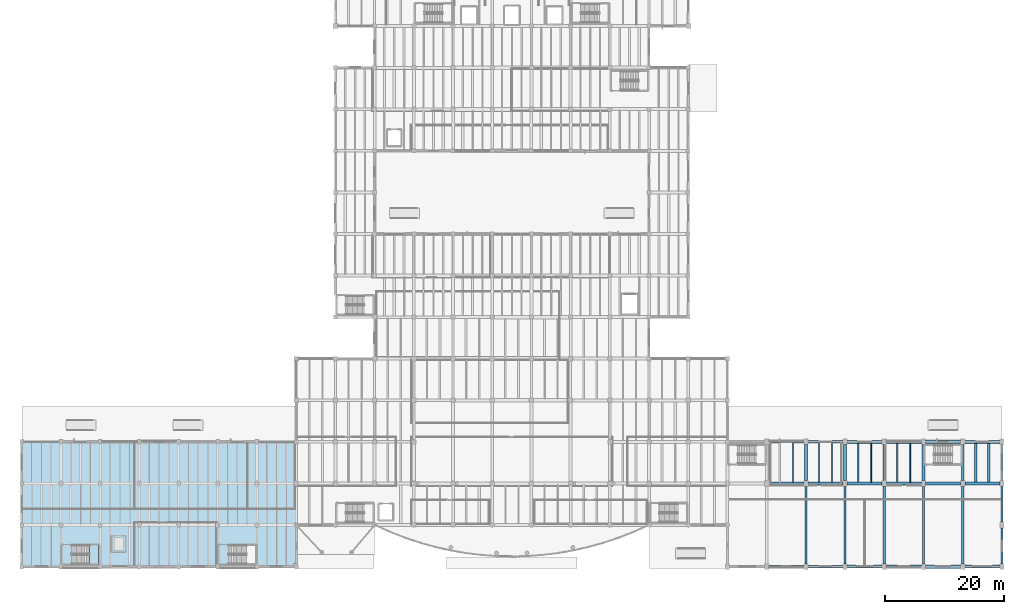
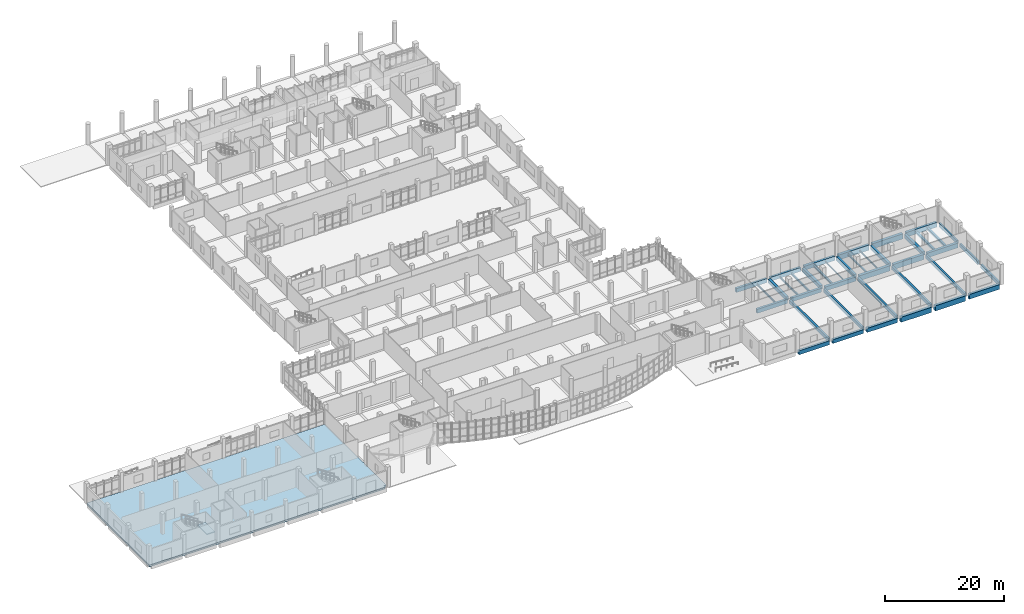
# One storey, part 32 of 69: 40 beams, 2 slabs, 1 element without a shape of its own.
"""IFC4 building model written with IfcOpenShell, lengths in metres."""

import ifcopenshell
import ifcopenshell.guid

model = None  # the IFC model being written
_history = None  # IfcOwnerHistory: only IFC2X3 demands one
_inside = {}  # id of a spatial element -> (the spatial element, [elements in it])
_under = {}  # id of a project, library or spatial element -> (it, [spatial elements below it])
_declared = {}  # id of a project -> (the project, [libraries it declares])
_typed = {}  # id of a type object -> (the type object, [elements of that type])
_made_of = {}  # id of a material, layer set ... -> (it, [elements and type objects made of it])


def new_model(schema):
    """Start an empty IFC model of exactly this schema.

    Asked for "IFC4X3", IfcOpenShell would pick the latest addendum, in which some entities
    have other attributes; the version numbers below select the first issue.
    IFC2X3 requires an IfcOwnerHistory on every rooted entity: one is made here for all.
    """
    global model, _history
    if schema == "IFC4X3":
        model = ifcopenshell.file(schema_version=(4, 3, 0, 0))
    else:
        model = ifcopenshell.file(schema=schema)
    _inside.clear()
    _under.clear()
    _declared.clear()
    _typed.clear()
    _made_of.clear()
    _history = None
    if model.schema == "IFC2X3":
        org = make("IfcOrganization", Name="unknown")
        user = make(
            "IfcPersonAndOrganization",
            ThePerson=make("IfcPerson", FamilyName="unknown"),
            TheOrganization=org,
        )
        app = make(
            "IfcApplication",
            ApplicationDeveloper=org,
            Version="unknown",
            ApplicationFullName="unknown",
            ApplicationIdentifier="unknown",
        )
        _history = make(
            "IfcOwnerHistory",
            OwningUser=user,
            OwningApplication=app,
            ChangeAction="ADDED",
            CreationDate=0,
        )
    return model


def make(cls, **values):
    """One entity of the class cls with the attributes given. An attribute that is None is left unset."""
    return model.create_entity(
        cls, **{name: value for name, value in values.items() if value is not None}
    )


def rooted(cls, **values):
    """An entity with a GlobalId (a new one), such as an element, a storey or a relation."""
    return make(cls, GlobalId=ifcopenshell.guid.new(), OwnerHistory=_history, **values)


def si_unit(unit_type, name, prefix=None):
    """IfcSIUnit, for example si_unit("LENGTHUNIT", "METRE", prefix="MILLI")."""
    return make("IfcSIUnit", UnitType=unit_type, Prefix=prefix, Name=name)


def assignment(units):
    """IfcUnitAssignment: the units of a project."""
    return None if units is None else make("IfcUnitAssignment", Units=units)


def point(xyz):
    """IfcCartesianPoint."""
    return None if xyz is None else make("IfcCartesianPoint", Coordinates=xyz)


def direction(xyz):
    """IfcDirection."""
    return None if xyz is None else make("IfcDirection", DirectionRatios=xyz)


def frame(location, z_axis=None, x_axis=None):
    """IfcAxis2Placement3D, a coordinate frame: its origin and axes. An axis left out is left unset."""
    return make(
        "IfcAxis2Placement3D",
        Location=point(location),
        Axis=direction(z_axis),
        RefDirection=direction(x_axis),
    )


def frame_2d(location, x_axis=None):
    """IfcAxis2Placement2D, a coordinate frame in the plane: its origin and x axis."""
    return make(
        "IfcAxis2Placement2D", Location=point(location), RefDirection=direction(x_axis)
    )


def origin():
    """The frame at (0, 0, 0) with its axes left unset."""
    return frame((0.0, 0.0, 0.0))


def origin_2d():
    """The frame at (0, 0) in the plane with its x axis left unset."""
    return frame_2d((0.0, 0.0))


def place(relative_to, where):
    """IfcLocalPlacement: puts the frame where relative to a parent placement (None: the world)."""
    return make(
        "IfcLocalPlacement", PlacementRelTo=relative_to, RelativePlacement=where
    )


def context(
    kind, dimensions, precision=None, world=None, true_north=None, identifier=None
):
    """IfcGeometricRepresentationContext, for example the 3D "Model" context."""
    return make(
        "IfcGeometricRepresentationContext",
        ContextIdentifier=identifier,
        ContextType=kind,
        CoordinateSpaceDimension=dimensions,
        Precision=precision,
        WorldCoordinateSystem=world,
        TrueNorth=true_north,
    )


def subcontext(parent, identifier, kind, view, scale=None):
    """IfcGeometricRepresentationSubContext, for example "Body" below "Model"."""
    return make(
        "IfcGeometricRepresentationSubContext",
        ContextIdentifier=identifier,
        ContextType=kind,
        ParentContext=parent,
        TargetScale=scale,
        TargetView=view,
    )


def project(units=None, contexts=None):
    """IfcProject with its units and contexts."""
    return rooted(
        "IfcProject",
        Name="project",
        RepresentationContexts=contexts,
        UnitsInContext=assignment(units),
    )


def spatial(cls, under=None, at=None, **own):
    """A site, building, storey or space (cls), placed at a placement, below another one or the project."""
    s = rooted(cls, ObjectPlacement=at, **own)
    if under is not None:
        _under.setdefault(under.id(), (under, []))[1].append(s)
    return s


def polyline(points):
    """IfcPolyline through the points."""
    return make("IfcPolyline", Points=[point(p) for p in points])


def profile(cls, at=None, kind="AREA", **sizes):
    """A parametric profile (cls). Its sizes go by their IFC names, for example OverallWidth=200.0."""
    return make(cls, ProfileType=kind, Position=at, **sizes)


def rectangle(**sizes):
    """IfcRectangleProfileDef."""
    return profile("IfcRectangleProfileDef", **sizes)


def i_section(**sizes):
    """IfcIShapeProfileDef."""
    return profile("IfcIShapeProfileDef", **sizes)


def outline(outer, holes=None, kind="AREA"):
    """IfcArbitraryClosedProfileDef: a profile drawn as a closed curve; with holes, ...WithVoids."""
    if holes is None:
        return make("IfcArbitraryClosedProfileDef", ProfileType=kind, OuterCurve=outer)
    return make(
        "IfcArbitraryProfileDefWithVoids",
        ProfileType=kind,
        OuterCurve=outer,
        InnerCurves=holes,
    )


def extrude(swept, where, along, depth):
    """IfcExtrudedAreaSolid: the profile swept, set in the frame where, extruded along a direction by depth."""
    return make(
        "IfcExtrudedAreaSolid",
        SweptArea=swept,
        Position=where,
        ExtrudedDirection=direction(along),
        Depth=depth,
    )


def shape(context_of_items, identifier, shape_type, items):
    """IfcShapeRepresentation: the items that make up one representation, for example the "Body"."""
    return make(
        "IfcShapeRepresentation",
        ContextOfItems=context_of_items,
        RepresentationIdentifier=identifier,
        RepresentationType=shape_type,
        Items=items,
    )


def material(Name=None, Category=None):
    """IfcMaterial."""
    return make("IfcMaterial", Name=Name, Category=Category)


def layer(
    of_material, thickness, ventilated=None, Name=None, Category=None, Priority=None
):
    """IfcMaterialLayer: one layer of a wall or slab, of a material (None: an air gap)."""
    return make(
        "IfcMaterialLayer",
        Material=of_material,
        LayerThickness=thickness,
        IsVentilated=ventilated,
        Name=Name,
        Category=Category,
        Priority=Priority,
    )


def layer_set(layers, Name=None):
    """IfcMaterialLayerSet."""
    return make("IfcMaterialLayerSet", MaterialLayers=layers, LayerSetName=Name)


def material_profile(
    of_material, cross_section, Name=None, Category=None, Priority=None
):
    """IfcMaterialProfile: a cross section and its material."""
    return make(
        "IfcMaterialProfile",
        Name=Name,
        Material=of_material,
        Profile=cross_section,
        Priority=Priority,
        Category=Category,
    )


def profile_set(profiles, Name=None, composite=None):
    """IfcMaterialProfileSet."""
    return make(
        "IfcMaterialProfileSet",
        Name=Name,
        MaterialProfiles=profiles,
        CompositeProfile=composite,
    )


def made_of(thing, what):
    """Note that an element or type object is made of a material, layer set ...; save() writes the relation."""
    if what is not None:
        _made_of.setdefault(what.id(), (what, []))[1].append(thing)
    return thing


def type_object(cls, material=None, **own):
    """A type object (cls), such as IfcWallType, which elements share."""
    return made_of(rooted(cls, **own), material)


def element(
    cls,
    number,
    at=None,
    inside=None,
    cuts=None,
    type_object=None,
    material=None,
    context=None,
    identifier="Body",
    shape_type=None,
    held_by="IfcProductDefinitionShape",
    body=None,
    shapes=None,
    **own,
):
    """One element of the class cls, such as IfcWall. Its Tag is "e" and its number.

    at: its placement. inside: the storey or other place that contains it. cuts: it is an
    opening in that element (IfcRelVoidsElement). A single representation is given by context,
    identifier, shape_type and body (its items); several are given by shapes. held_by: the class
    of the entity that holds the representations. save() writes the other relations.
    """
    e = rooted(cls, Tag="e%d" % number, ObjectPlacement=at, **own)
    if body is not None:
        shapes = [shape(context, identifier, shape_type, body)]
    if shapes is not None:
        e.Representation = make(held_by, Representations=shapes)
    if inside is not None:
        _inside.setdefault(inside.id(), (inside, []))[1].append(e)
    if cuts is not None:
        rooted(
            "IfcRelVoidsElement", RelatingBuildingElement=cuts, RelatedOpeningElement=e
        )
    if type_object is not None:
        _typed.setdefault(type_object.id(), (type_object, []))[1].append(e)
    return made_of(e, material)


def aggregate(whole, parts):
    """IfcRelAggregates: a whole, such as a stair, and the parts it consists of."""
    return rooted("IfcRelAggregates", RelatingObject=whole, RelatedObjects=parts)


def save(model, path):
    """Write the relations noted so far, then the file.

    IfcRelAggregates (storeys below a building ...), IfcRelContainedInSpatialStructure (elements
    in a storey), IfcRelDefinesByType, IfcRelAssociatesMaterial and IfcRelDeclares: one each for
    every whole, place, type object, material and project.
    """
    for whole, parts in _under.values():
        aggregate(whole, parts)
    for where, things in _inside.values():
        rooted(
            "IfcRelContainedInSpatialStructure",
            RelatedElements=things,
            RelatingStructure=where,
        )
    for kind, things in _typed.values():
        rooted("IfcRelDefinesByType", RelatedObjects=things, RelatingType=kind)
    for what, things in _made_of.values():
        rooted("IfcRelAssociatesMaterial", RelatedObjects=things, RelatingMaterial=what)
    for by, libraries in _declared.values():
        rooted("IfcRelDeclares", RelatingContext=by, RelatedDefinitions=libraries)
    model.write(path)


model = new_model("IFC4")

# Units and contexts
model_context = context("Model", 3, precision=1e-05, world=origin(), true_north=direction((0.0, 1.0)))
body_context = subcontext(model_context, "Body", "Model", "MODEL_VIEW")
ifc_project = project(units=[si_unit("LENGTHUNIT", "METRE"), si_unit("AREAUNIT", "SQUARE_METRE"), si_unit("VOLUMEUNIT", "CUBIC_METRE"), si_unit("PLANEANGLEUNIT", "RADIAN"), si_unit("MASSUNIT", "GRAM", prefix="KILO")], contexts=[model_context])

# Site, building, storey
site_placement = place(None, origin())
site = spatial("IfcSite", under=ifc_project, at=site_placement, CompositionType="ELEMENT")
building_placement = place(site_placement, origin())
building = spatial("IfcBuilding", under=site, at=building_placement, Name="Ciguamira Faculty of Natural Sciences", CompositionType="ELEMENT")
storey_placement = place(building_placement, origin())
storey = spatial("IfcBuildingStorey", under=building, at=storey_placement, Name="L00", CompositionType="ELEMENT", Elevation=0.0)

# Beams
ifc_material_1 = material(Name="Concrete C40/50", Category="concrete")
ifc_material_profile_1 = material_profile(ifc_material_1, rectangle(XDim=0.550048828125, YDim=1.050048828125, at=origin_2d()), Name="RC-BM-550X1050")
ifc_profile_set_1 = profile_set([ifc_material_profile_1], Name="Concrete C40/50")
beam_type_1 = type_object("IfcBeamType", Name="RCBeam_BG-01_RC-BM-550X1050", PredefinedType="BEAM", material=ifc_profile_set_1)
beam_1_placement = place(storey_placement, frame((150.050048828125, 3.0, -0.52490234375), z_axis=(1.0, 0.0, 0.0), x_axis=(0.0, 1.0, 0.0)))
element("IfcBeam", 1, at=beam_1_placement, inside=storey, type_object=beam_type_1, Name="L00 RC girder EW-0012", PredefinedType="BEAM", context=body_context, shape_type="SweptSolid", body=[
    extrude(rectangle(XDim=0.550048828125, YDim=1.050048828125, at=origin_2d()), origin(), (0.0, 0.0, 1.0), 5.89990234375),
])
beam_2_placement = place(storey_placement, frame((156.64990234375, 3.0, -0.52490234375), z_axis=(1.0, 0.0, 0.0), x_axis=(0.0, 1.0, 0.0)))
element("IfcBeam", 2, at=beam_2_placement, inside=storey, type_object=beam_type_1, Name="L00 RC girder EW-0013", PredefinedType="BEAM", context=body_context, shape_type="SweptSolid", body=[
    extrude(rectangle(XDim=0.550048828125, YDim=1.050048828125, at=origin_2d()), origin(), (0.0, 0.0, 1.0), 5.900146484375),
])
beam_3_placement = place(storey_placement, frame((150.050048828125, 17.0, -0.52490234375), z_axis=(1.0, 0.0, 0.0), x_axis=(0.0, 1.0, 0.0)))
element("IfcBeam", 3, at=beam_3_placement, inside=storey, type_object=beam_type_1, Name="L00 RC girder EW-0055", PredefinedType="BEAM", context=body_context, shape_type="SweptSolid", body=[
    extrude(rectangle(XDim=0.550048828125, YDim=1.050048828125, at=origin_2d()), origin(), (0.0, 0.0, 1.0), 5.89990234375),
])
beam_4_placement = place(storey_placement, frame((156.64990234375, 17.0, -0.52490234375), z_axis=(1.0, 0.0, 0.0), x_axis=(0.0, 1.0, 0.0)))
element("IfcBeam", 4, at=beam_4_placement, inside=storey, type_object=beam_type_1, Name="L00 RC girder EW-0056", PredefinedType="BEAM", context=body_context, shape_type="SweptSolid", body=[
    extrude(rectangle(XDim=0.550048828125, YDim=1.050048828125, at=origin_2d()), origin(), (0.0, 0.0, 1.0), 5.900146484375),
])
beam_5_placement = place(storey_placement, frame((150.050048828125, 24.0, -0.52490234375), z_axis=(1.0, 0.0, 0.0), x_axis=(0.0, 1.0, 0.0)))
element("IfcBeam", 5, at=beam_5_placement, inside=storey, type_object=beam_type_1, Name="L00 RC girder EW-0075", PredefinedType="BEAM", context=body_context, shape_type="SweptSolid", body=[
    extrude(rectangle(XDim=0.550048828125, YDim=1.050048828125, at=origin_2d()), origin(), (0.0, 0.0, 1.0), 5.89990234375),
])
beam_6_placement = place(storey_placement, frame((156.64990234375, 24.0, -0.52490234375), z_axis=(1.0, 0.0, 0.0), x_axis=(0.0, 1.0, 0.0)))
element("IfcBeam", 6, at=beam_6_placement, inside=storey, type_object=beam_type_1, Name="L00 RC girder EW-0076", PredefinedType="BEAM", context=body_context, shape_type="SweptSolid", body=[
    extrude(rectangle(XDim=0.550048828125, YDim=1.050048828125, at=origin_2d()), origin(), (0.0, 0.0, 1.0), 5.900146484375),
])
ifc_material_profile_2 = material_profile(ifc_material_1, rectangle(XDim=0.5, YDim=0.949951171875, at=origin_2d()), Name="RC-BM-500X950")
ifc_profile_set_2 = profile_set([ifc_material_profile_2], Name="Concrete C40/50")
beam_type_2 = type_object("IfcBeamType", Name="RCBeam_BG-02_RC-BM-500X950", PredefinedType="BEAM", material=ifc_profile_set_2)
for number, where, z_axis, x_axis, name in (
    (7, (163.25, 3.0, -0.47509765625), (1.0, 0.0, 0.0), (0.0, 1.0, 0.0), "L00 RC girder EW-0014"),
    (8, (163.25, 17.0, -0.47509765625), (1.0, 0.0, 0.0), (0.0, 1.0, 0.0), "L00 RC girder EW-0057"),
    (9, (163.25, 24.0, -0.47509765625), (1.0, 0.0, 0.0), (0.0, 1.0, 0.0), "L00 RC girder EW-0077"),
):
    element("IfcBeam", number, at=place(storey_placement, frame(where, z_axis=z_axis, x_axis=x_axis)), inside=storey, type_object=beam_type_2, Name=name, PredefinedType="BEAM", context=body_context, shape_type="SweptSolid", body=[
        extrude(rectangle(XDim=0.5, YDim=0.949951171875, at=origin_2d()), origin(), (0.0, 0.0, 1.0), 5.89990234375),
    ])
ifc_material_profile_3 = material_profile(ifc_material_1, rectangle(XDim=0.449951171875, YDim=0.800048828125, at=origin_2d()), Name="RC-BM-450X800")
ifc_profile_set_3 = profile_set([ifc_material_profile_3], Name="Concrete C40/50")
beam_type_3 = type_object("IfcBeamType", Name="RCBeam_BG-05_RC-BM-450X800", PredefinedType="BEAM", material=ifc_profile_set_3)
for number, where, z_axis, x_axis, name in (
    (10, (130.25, 3.0, -0.39990234375), (1.0, 0.0, 0.0), (0.0, 1.0, 0.0), "L00 RC girder EW-0009"),
    (11, (136.85009765625, 3.0, -0.39990234375), (1.0, 0.0, 0.0), (0.0, 1.0, 0.0), "L00 RC girder EW-0010"),
    (12, (130.25, 17.0, -0.39990234375), (1.0, 0.0, 0.0), (0.0, 1.0, 0.0), "L00 RC girder EW-0052"),
    (13, (136.85009765625, 17.0, -0.39990234375), (1.0, 0.0, 0.0), (0.0, 1.0, 0.0), "L00 RC girder EW-0053"),
    (14, (130.25, 24.0, -0.39990234375), (1.0, 0.0, 0.0), (0.0, 1.0, 0.0), "L00 RC girder EW-0072"),
    (15, (136.85009765625, 24.0, -0.39990234375), (1.0, 0.0, 0.0), (0.0, 1.0, 0.0), "L00 RC girder EW-0073"),
):
    element("IfcBeam", number, at=place(storey_placement, frame(where, z_axis=z_axis, x_axis=x_axis)), inside=storey, type_object=beam_type_3, Name=name, PredefinedType="BEAM", context=body_context, shape_type="SweptSolid", body=[
        extrude(rectangle(XDim=0.449951171875, YDim=0.800048828125, at=origin_2d()), origin(), (0.0, 0.0, 1.0), 5.89990234375),
    ])
ifc_material_profile_4 = material_profile(ifc_material_1, rectangle(XDim=0.3798828125, YDim=0.679931640625, at=origin_2d()), Name="RC-BM-380X680")
ifc_profile_set_4 = profile_set([ifc_material_profile_4], Name="Concrete C40/50")
beam_type_4 = type_object("IfcBeamType", Name="RCBeam_BG-09_RC-BM-380X680", PredefinedType="BEAM", material=ifc_profile_set_4)
for number, where, z_axis, x_axis, name in (
    (16, (136.5, 3.47509765625, -0.340087890625), (0.0, 1.0, 0.0), (-1.0, 0.0, 0.0), "L00 girder NS-0345"),
    (17, (143.10009765625, 3.47509765625, -0.340087890625), (0.0, 1.0, 0.0), (-1.0, 0.0, 0.0), "L00 girder NS-0347"),
    (18, (149.699951171875, 3.47509765625, -0.340087890625), (0.0, 1.0, 0.0), (-1.0, 0.0, 0.0), "L00 girder NS-0349"),
    (19, (156.300048828125, 3.47509765625, -0.340087890625), (0.0, 1.0, 0.0), (-1.0, 0.0, 0.0), "L00 girder NS-0351"),
    (20, (162.89990234375, 3.47509765625, -0.340087890625), (0.0, 1.0, 0.0), (-1.0, 0.0, 0.0), "L00 girder NS-0353"),
):
    element("IfcBeam", number, at=place(storey_placement, frame(where, z_axis=z_axis, x_axis=x_axis)), inside=storey, type_object=beam_type_4, Name=name, PredefinedType="BEAM", context=body_context, shape_type="SweptSolid", body=[
        extrude(rectangle(XDim=0.3798828125, YDim=0.679931640625, at=origin_2d()), origin(), (0.0, 0.0, 1.0), 13.0498046875),
    ])
ifc_material_2 = material(Name="Precast concrete C40/50", Category="concrete")
ifc_material_profile_5 = material_profile(ifc_material_2, rectangle(XDim=0.340087890625, YDim=0.719970703125, at=origin_2d()), Name="RC-SP-340X720")
ifc_profile_set_5 = profile_set([ifc_material_profile_5], Name="Precast concrete C40/50")
beam_type_5 = type_object("IfcBeamType", Name="RCBeam_SP-03_RC-SP-340X720", PredefinedType="SPANDREL", material=ifc_profile_set_5)
for number, where, z_axis, x_axis, name in (
    (21, (169.5, 3.47509765625, -0.360107421875), (0.0, 1.0, 0.0), (-1.0, 0.0, 0.0), "L00 girder NS-0355"),
    (22, (169.5, 10.47509765625, -0.360107421875), (0.0, 1.0, 0.0), (-1.0, 0.0, 0.0), "L00 girder NS-0356"),
    (23, (169.5, 17.47509765625, -0.360107421875), (0.0, 1.0, 0.0), (-1.0, 0.0, 0.0), "L00 girder NS-0357"),
):
    element("IfcBeam", number, at=place(storey_placement, frame(where, z_axis=z_axis, x_axis=x_axis)), inside=storey, type_object=beam_type_5, Name=name, PredefinedType="SPANDREL", context=body_context, shape_type="SweptSolid", body=[
        extrude(rectangle(XDim=0.340087890625, YDim=0.719970703125, at=origin_2d()), origin(), (0.0, 0.0, 1.0), 6.0498046875),
    ])
ifc_material_profile_6 = material_profile(ifc_material_1, rectangle(XDim=0.47998046875, YDim=0.760009765625, at=origin_2d()), Name="RC-TB-480X760")
ifc_profile_set_6 = profile_set([ifc_material_profile_6], Name="Concrete C40/50")
beam_type_6 = type_object("IfcBeamType", Name="RCBeam_TB-01_RC-TB-480X760", PredefinedType="T_BEAM", material=ifc_profile_set_6)
for number, where, z_axis, x_axis, name in (
    (24, (136.5, 17.47509765625, -0.3798828125), (0.0, 1.0, 0.0), (-1.0, 0.0, 0.0), "L00 girder NS-0346"),
    (25, (143.10009765625, 17.47509765625, -0.3798828125), (0.0, 1.0, 0.0), (-1.0, 0.0, 0.0), "L00 girder NS-0348"),
    (26, (149.699951171875, 17.47509765625, -0.3798828125), (0.0, 1.0, 0.0), (-1.0, 0.0, 0.0), "L00 girder NS-0350"),
    (27, (156.300048828125, 17.47509765625, -0.3798828125), (0.0, 1.0, 0.0), (-1.0, 0.0, 0.0), "L00 girder NS-0352"),
    (28, (162.89990234375, 17.47509765625, -0.3798828125), (0.0, 1.0, 0.0), (-1.0, 0.0, 0.0), "L00 girder NS-0354"),
):
    element("IfcBeam", number, at=place(storey_placement, frame(where, z_axis=z_axis, x_axis=x_axis)), inside=storey, type_object=beam_type_6, Name=name, PredefinedType="T_BEAM", context=body_context, shape_type="SweptSolid", body=[
        extrude(rectangle(XDim=0.47998046875, YDim=0.760009765625, at=origin_2d()), origin(), (0.0, 0.0, 1.0), 6.0498046875),
    ])
ifc_material_profile_7 = material_profile(ifc_material_1, rectangle(XDim=0.52001953125, YDim=0.840087890625, at=origin_2d()), Name="RC-TB-520X840")
ifc_profile_set_7 = profile_set([ifc_material_profile_7], Name="Concrete C40/50")
beam_type_7 = type_object("IfcBeamType", Name="RCBeam_TB-02_RC-TB-520X840", PredefinedType="T_BEAM", material=ifc_profile_set_7)
for number, where, z_axis, x_axis, name in (
    (29, (143.449951171875, 3.0, -0.419921875), (1.0, 0.0, 0.0), (0.0, 1.0, 0.0), "L00 RC girder EW-0011"),
    (30, (143.449951171875, 17.0, -0.419921875), (1.0, 0.0, 0.0), (0.0, 1.0, 0.0), "L00 RC girder EW-0054"),
    (31, (143.449951171875, 24.0, -0.419921875), (1.0, 0.0, 0.0), (0.0, 1.0, 0.0), "L00 RC girder EW-0074"),
):
    element("IfcBeam", number, at=place(storey_placement, frame(where, z_axis=z_axis, x_axis=x_axis)), inside=storey, type_object=beam_type_7, Name=name, PredefinedType="T_BEAM", context=body_context, shape_type="SweptSolid", body=[
        extrude(rectangle(XDim=0.52001953125, YDim=0.840087890625, at=origin_2d()), origin(), (0.0, 0.0, 1.0), 5.900146484375),
    ])
ifc_material_3 = material(Name="Steel ASTM A992 Grade 50", Category="steel")
ifc_material_profile_8 = material_profile(ifc_material_3, i_section(OverallWidth=0.14599609375, OverallDepth=0.259033203125, WebThickness=0.006103515625, FlangeThickness=0.009033203125, at=origin_2d()), Name="W10X22")
ifc_profile_set_8 = profile_set([ifc_material_profile_8], Name="Steel ASTM A992 Grade 50")
beam_type_8 = type_object("IfcBeamType", Name="SteelJoist_SJ-01_W10X22", PredefinedType="JOIST", material=ifc_profile_set_8)
beam_7_placement = place(storey_placement, frame((147.5, 17.219970703125, -0.4794921875), z_axis=(0.0, 1.0, 0.0), x_axis=(-1.0, 0.0, 0.0)))
element("IfcBeam", 32, at=beam_7_placement, inside=storey, type_object=beam_type_8, Name="L00 composite steel joist 00318", PredefinedType="JOIST", context=body_context, shape_type="SweptSolid", body=[
    extrude(i_section(OverallWidth=0.14599609375, OverallDepth=0.259033203125, WebThickness=0.006103515625, FlangeThickness=0.009033203125, at=origin_2d()), origin(), (0.0, 0.0, 1.0), 6.56005859375),
])
ifc_material_profile_9 = material_profile(ifc_material_3, i_section(OverallWidth=0.25390625, OverallDepth=0.25390625, WebThickness=0.008544921875, FlangeThickness=0.01416015625, at=origin_2d()), Name="W10X49")
ifc_profile_set_9 = profile_set([ifc_material_profile_9], Name="Steel ASTM A992 Grade 50")
beam_type_9 = type_object("IfcBeamType", Name="SteelJoist_SJ-03_W10X49", PredefinedType="JOIST", material=ifc_profile_set_9)
beam_8_placement = place(storey_placement, frame((151.89990234375, 17.235107421875, -0.47705078125), z_axis=(0.0, 1.0, 0.0), x_axis=(-1.0, 0.0, 0.0)))
element("IfcBeam", 33, at=beam_8_placement, inside=storey, type_object=beam_type_9, Name="L00 composite steel joist 00319", PredefinedType="JOIST", context=body_context, shape_type="SweptSolid", body=[
    extrude(i_section(OverallWidth=0.25390625, OverallDepth=0.25390625, WebThickness=0.008544921875, FlangeThickness=0.01416015625, at=origin_2d()), origin(), (0.0, 0.0, 1.0), 6.52978515625),
])
ifc_material_profile_10 = material_profile(ifc_material_3, i_section(OverallWidth=0.164794921875, OverallDepth=0.309814453125, WebThickness=0.005859375, FlangeThickness=0.009765625, at=origin_2d()), Name="W12X26")
ifc_profile_set_10 = profile_set([ifc_material_profile_10], Name="Steel ASTM A992 Grade 50")
beam_type_10 = type_object("IfcBeamType", Name="SteelJoist_SJ-04_W12X26", PredefinedType="JOIST", material=ifc_profile_set_10)
beam_9_placement = place(storey_placement, frame((154.10009765625, 17.235107421875, -0.5048828125), z_axis=(0.0, 1.0, 0.0), x_axis=(-1.0, 0.0, 0.0)))
element("IfcBeam", 34, at=beam_9_placement, inside=storey, type_object=beam_type_10, Name="L00 composite steel joist 00320", PredefinedType="JOIST", context=body_context, shape_type="SweptSolid", body=[
    extrude(i_section(OverallWidth=0.164794921875, OverallDepth=0.309814453125, WebThickness=0.005859375, FlangeThickness=0.009765625, at=origin_2d()), origin(), (0.0, 0.0, 1.0), 6.52978515625),
])
ifc_material_profile_11 = material_profile(ifc_material_3, i_section(OverallWidth=0.370849609375, OverallDepth=0.36328125, WebThickness=0.013427734375, FlangeThickness=0.021728515625, at=origin_2d()), Name="W14X109")
ifc_profile_set_11 = profile_set([ifc_material_profile_11], Name="Steel ASTM A992 Grade 50")
beam_type_11 = type_object("IfcBeamType", Name="SteelJoist_SJ-09_W14X109", PredefinedType="JOIST", material=ifc_profile_set_11)
beam_10_placement = place(storey_placement, frame((165.10009765625, 17.2099609375, -0.531494140625), z_axis=(0.0, 1.0, 0.0), x_axis=(-1.0, 0.0, 0.0)))
element("IfcBeam", 35, at=beam_10_placement, inside=storey, type_object=beam_type_11, Name="L00 composite steel joist 00321", PredefinedType="JOIST", context=body_context, shape_type="SweptSolid", body=[
    extrude(i_section(OverallWidth=0.370849609375, OverallDepth=0.36328125, WebThickness=0.013427734375, FlangeThickness=0.021728515625, at=origin_2d()), origin(), (0.0, 0.0, 1.0), 6.580078125),
])
ifc_material_profile_12 = material_profile(ifc_material_3, i_section(OverallWidth=0.373291015625, OverallDepth=0.373291015625, WebThickness=0.016357421875, FlangeThickness=0.026123046875, at=origin_2d()), Name="W14X132")
ifc_profile_set_12 = profile_set([ifc_material_profile_12], Name="Steel ASTM A992 Grade 50")
beam_type_12 = type_object("IfcBeamType", Name="SteelJoist_SJ-10_W14X132", PredefinedType="JOIST", material=ifc_profile_set_12)
beam_11_placement = place(storey_placement, frame((167.300048828125, 17.2099609375, -0.53662109375), z_axis=(0.0, 1.0, 0.0), x_axis=(-1.0, 0.0, 0.0)))
element("IfcBeam", 36, at=beam_11_placement, inside=storey, type_object=beam_type_12, Name="L00 composite steel joist 00322", PredefinedType="JOIST", context=body_context, shape_type="SweptSolid", body=[
    extrude(i_section(OverallWidth=0.373291015625, OverallDepth=0.373291015625, WebThickness=0.016357421875, FlangeThickness=0.026123046875, at=origin_2d()), origin(), (0.0, 0.0, 1.0), 6.580078125),
])
ifc_material_profile_13 = material_profile(ifc_material_3, i_section(OverallWidth=0.180908203125, OverallDepth=0.41650390625, WebThickness=0.010986328125, FlangeThickness=0.01806640625, at=origin_2d()), Name="W16X57")
ifc_profile_set_13 = profile_set([ifc_material_profile_13], Name="Steel ASTM A992 Grade 50")
beam_type_13 = type_object("IfcBeamType", Name="SteelJoist_SJ-20_W16X57", PredefinedType="JOIST", material=ifc_profile_set_13)
beam_12_placement = place(storey_placement, frame((134.300048828125, 17.18505859375, -0.558349609375), z_axis=(0.0, 1.0, 0.0), x_axis=(-1.0, 0.0, 0.0)))
element("IfcBeam", 37, at=beam_12_placement, inside=storey, type_object=beam_type_13, Name="L00 composite steel joist 00314", PredefinedType="JOIST", context=body_context, shape_type="SweptSolid", body=[
    extrude(i_section(OverallWidth=0.180908203125, OverallDepth=0.41650390625, WebThickness=0.010986328125, FlangeThickness=0.01806640625, at=origin_2d()), origin(), (0.0, 0.0, 1.0), 6.6298828125),
])
ifc_material_profile_14 = material_profile(ifc_material_3, i_section(OverallWidth=0.15283203125, OverallDepth=0.45458984375, WebThickness=0.008056640625, FlangeThickness=0.013427734375, at=origin_2d()), Name="W18X40")
ifc_profile_set_14 = profile_set([ifc_material_profile_14], Name="Steel ASTM A992 Grade 50")
beam_type_14 = type_object("IfcBeamType", Name="SteelJoist_SJ-22_W18X40", PredefinedType="JOIST", material=ifc_profile_set_14)
beam_13_placement = place(storey_placement, frame((138.699951171875, 17.18505859375, -0.577392578125), z_axis=(0.0, 1.0, 0.0), x_axis=(-1.0, 0.0, 0.0)))
element("IfcBeam", 38, at=beam_13_placement, inside=storey, type_object=beam_type_14, Name="L00 composite steel joist 00315", PredefinedType="JOIST", context=body_context, shape_type="SweptSolid", body=[
    extrude(i_section(OverallWidth=0.15283203125, OverallDepth=0.45458984375, WebThickness=0.008056640625, FlangeThickness=0.013427734375, at=origin_2d()), origin(), (0.0, 0.0, 1.0), 6.6298828125),
])
ifc_material_profile_15 = material_profile(ifc_material_3, i_section(OverallWidth=0.1904296875, OverallDepth=0.457275390625, WebThickness=0.009033203125, FlangeThickness=0.014404296875, at=origin_2d()), Name="W18X50")
ifc_profile_set_15 = profile_set([ifc_material_profile_15], Name="Steel ASTM A992 Grade 50")
beam_type_15 = type_object("IfcBeamType", Name="SteelJoist_SJ-23_W18X50", PredefinedType="JOIST", material=ifc_profile_set_15)
beam_14_placement = place(storey_placement, frame((140.89990234375, 17.18505859375, -0.57861328125), z_axis=(0.0, 1.0, 0.0), x_axis=(-1.0, 0.0, 0.0)))
element("IfcBeam", 39, at=beam_14_placement, inside=storey, type_object=beam_type_15, Name="L00 composite steel joist 00316", PredefinedType="JOIST", context=body_context, shape_type="SweptSolid", body=[
    extrude(i_section(OverallWidth=0.1904296875, OverallDepth=0.457275390625, WebThickness=0.009033203125, FlangeThickness=0.014404296875, at=origin_2d()), origin(), (0.0, 0.0, 1.0), 6.6298828125),
])
ifc_material_profile_16 = material_profile(ifc_material_3, i_section(OverallWidth=0.279296875, OverallDepth=0.462158203125, WebThickness=0.0107421875, FlangeThickness=0.017333984375, at=origin_2d()), Name="W18X76")
ifc_profile_set_16 = profile_set([ifc_material_profile_16], Name="Steel ASTM A992 Grade 50")
beam_type_16 = type_object("IfcBeamType", Name="SteelJoist_SJ-25_W18X76", PredefinedType="JOIST", material=ifc_profile_set_16)
beam_15_placement = place(storey_placement, frame((145.300048828125, 17.219970703125, -0.5810546875), z_axis=(0.0, 1.0, 0.0), x_axis=(-1.0, 0.0, 0.0)))
element("IfcBeam", 40, at=beam_15_placement, inside=storey, type_object=beam_type_16, Name="L00 composite steel joist 00317", PredefinedType="JOIST", context=body_context, shape_type="SweptSolid", body=[
    extrude(i_section(OverallWidth=0.279296875, OverallDepth=0.462158203125, WebThickness=0.0107421875, FlangeThickness=0.017333984375, at=origin_2d()), origin(), (0.0, 0.0, 1.0), 6.56005859375),
])

# Slab
ifc_material_4 = material(Name="Concrete C35/45", Category="concrete")
ifc_layer_1 = layer(ifc_material_4, 0.39990234375, Name="Concrete C35/45")
ifc_layer_set_1 = layer_set([ifc_layer_1], Name="Concrete C35/45")
slab_type_1 = type_object("IfcSlabType", Name="Slab_SB-01_400", PredefinedType="BASESLAB", material=ifc_layer_set_1)
slab_1_placement = place(storey_placement, frame((0.0, 0.0, -0.39990234375)))
element("IfcSlab", 41, at=slab_1_placement, inside=storey, type_object=slab_type_1, Name="L00 V2 structural slab", PredefinedType="BASESLAB", context=body_context, shape_type="SweptSolid", body=[
    extrude(outline(polyline([(4.5, 3.0), (50.199951171875, 3.0), (50.199951171875, 3.449951171875), (50.64990234375, 3.449951171875), (50.64990234375, 24.0), (4.5, 24.0), (4.5, 3.0)])), origin(), (0.0, 0.0, 1.0), 0.39990234375),
])

# Stair, slab
stair_type = type_object("IfcStairType", Name="Stair_STR-01", PredefinedType="HALF_TURN_STAIR", material=ifc_material_1)
stair_placement = place(storey_placement, origin())
stair = element("IfcStair", 42, at=stair_placement, inside=storey, type_object=stair_type, Name="L00 Commons West Exit Stair", PredefinedType="HALF_TURN_STAIR")
ifc_layer_2 = layer(ifc_material_1, 0.199951171875, Name="Concrete C40/50")
ifc_layer_set_2 = layer_set([ifc_layer_2], Name="Concrete C40/50")
slab_type_2 = type_object("IfcSlabType", Name="StairLanding_SLD01", PredefinedType="LANDING", material=ifc_layer_set_2)
slab_2_placement = place(storey_placement, frame((0.0, 0.0, 1.89990234375)))
slab_2 = element("IfcSlab", 43, at=slab_2_placement, type_object=slab_type_2, Name="ST-C1 landing 1", PredefinedType="LANDING", context=body_context, shape_type="SweptSolid", body=[
    extrude(outline(polyline([(15.93994140625, 3.449951171875), (17.449951171875, 3.449951171875), (17.449951171875, 6.610107421875), (15.93994140625, 6.610107421875), (15.93994140625, 3.449951171875)])), origin(), (0.0, 0.0, 1.0), 0.2001953125),
])
aggregate(stair, [slab_2])

save(model, "model.ifc")
